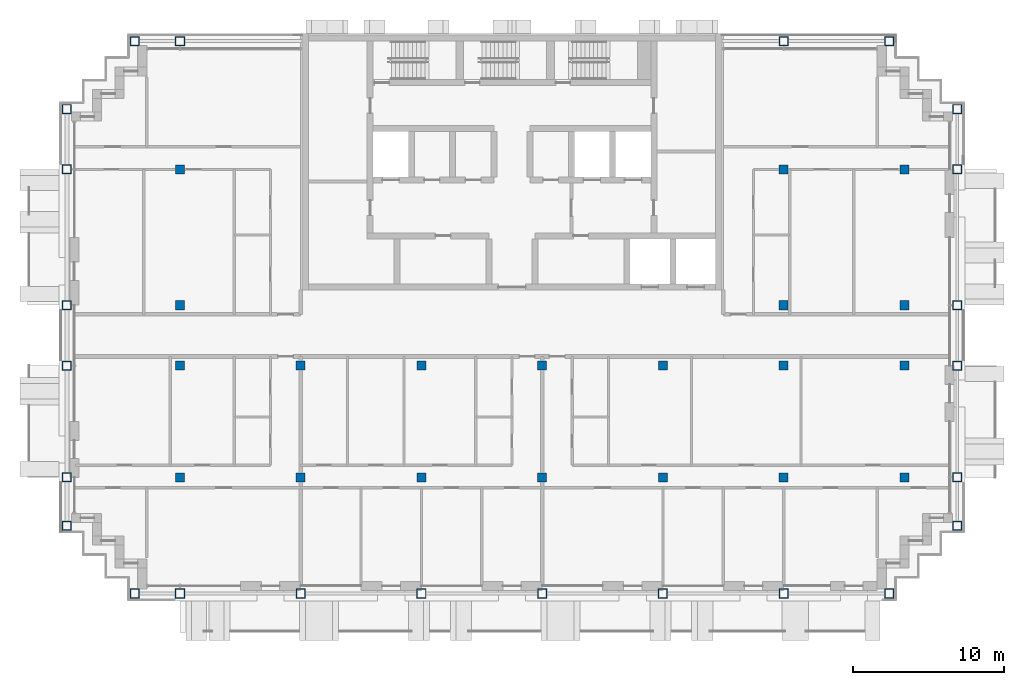
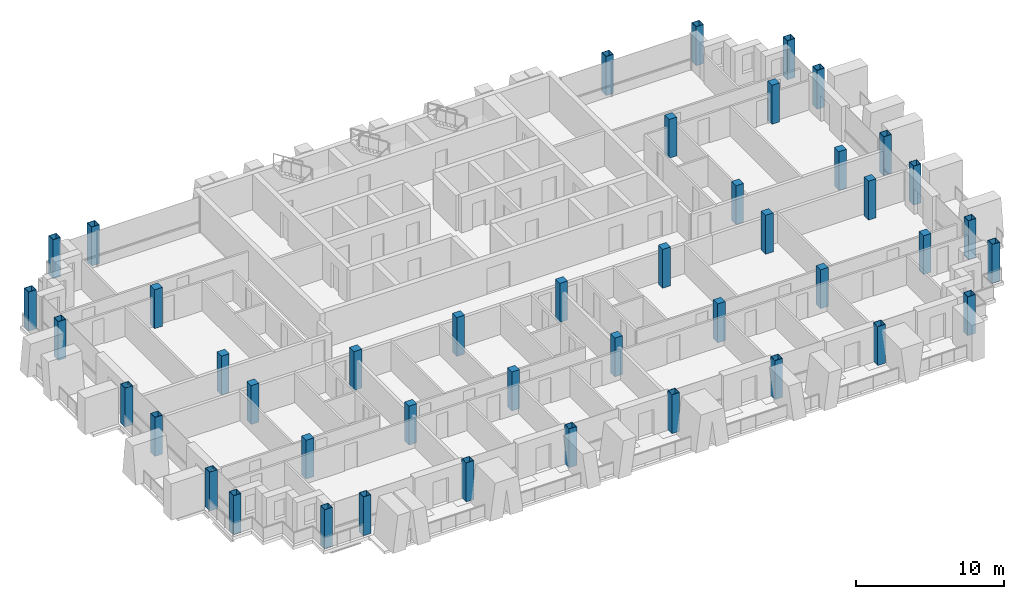
# One storey, part 1 of 15: 44 columns.
"""IFC4 building model written with IfcOpenShell, lengths in metres."""

from ifc_helpers import new_model, si_unit, direction, frame, origin, origin_2d, place, context, subcontext, project, spatial, rectangle, hollow_rectangle, extrude, material, material_profile, profile_set, type_object, element, save


model = new_model("IFC4")

# Units and contexts
model_context = context("Model", 3, precision=1e-05, world=origin(), true_north=direction((0.0, 1.0)))
body_context = subcontext(model_context, "Body", "Model", "MODEL_VIEW")
ifc_project = project(units=[si_unit("LENGTHUNIT", "METRE"), si_unit("AREAUNIT", "SQUARE_METRE"), si_unit("VOLUMEUNIT", "CUBIC_METRE"), si_unit("PLANEANGLEUNIT", "RADIAN"), si_unit("MASSUNIT", "GRAM", prefix="KILO")], contexts=[model_context])

# Site, building, storey
site_placement = place(None, origin())
site = spatial("IfcSite", under=ifc_project, at=site_placement, CompositionType="ELEMENT")
building_placement = place(site_placement, origin())
building = spatial("IfcBuilding", under=site, at=building_placement, Name="Vidyagriha Tower", CompositionType="ELEMENT")
storey_placement = place(building_placement, frame((0.0, 0.0, 233.199951171875)))
storey = spatial("IfcBuildingStorey", under=building, at=storey_placement, Name="L61", CompositionType="ELEMENT", Elevation=233.199951171875)

# Columns
ifc_material_1 = material(Name="Steel ASTM A572 Grade 50", Category="steel")
ifc_material_profile_1 = material_profile(ifc_material_1, hollow_rectangle(XDim=0.60009765625, YDim=0.60009765625, WallThickness=0.030029296875, at=origin_2d()), Name="BOX 600x600x30")
ifc_profile_set_1 = profile_set([ifc_material_profile_1], Name="Steel ASTM A572 Grade 50")
column_type_1 = type_object("IfcColumnType", Name="Exoskeleton column BOX 600x600x30", PredefinedType="COLUMN", material=ifc_profile_set_1)
for number, where, name in (
    (1, (-25.0, -17.10009765625, 0.0), "st-col-L61-B5-001"),
    (2, (-22.0, -17.10009765625, 0.0), "st-col-L61-B5-002"),
    (3, (-14.0, -17.10009765625, 0.0), "st-col-L61-B5-003"),
    (4, (-6.0, -17.10009765625, 0.0), "st-col-L61-B5-004"),
    (5, (2.0, -17.10009765625, 0.0), "st-col-L61-B5-005"),
    (6, (10.0, -17.10009765625, 0.0), "st-col-L61-B5-006"),
    (7, (18.0, -17.10009765625, 0.0), "st-col-L61-B5-007"),
    (8, (25.0, -17.10009765625, 0.0), "st-col-L61-B5-008"),
    (9, (-29.5, -12.60009765625, 0.0), "st-col-L61-B5-009"),
    (10, (29.5, -12.60009765625, 0.0), "st-col-L61-B5-010"),
    (11, (-29.5, -9.39990234375, 0.0), "st-col-L61-B5-011"),
    (12, (29.5, -9.39990234375, 0.0), "st-col-L61-B5-019"),
    (13, (-29.5, -2.0, 0.0), "st-col-L61-B5-020"),
    (14, (29.5, -2.0, 0.0), "st-col-L61-B5-028"),
    (15, (-29.5, 2.0, 0.0), "st-col-L61-B5-029"),
    (16, (29.5, 2.0, 0.0), "st-col-L61-B5-033"),
    (17, (-29.5, 11.0, 0.0), "st-col-L61-B5-034"),
    (18, (29.5, 11.0, 0.0), "st-col-L61-B5-038"),
    (19, (-29.5, 15.0, 0.0), "st-col-L61-B5-039"),
    (20, (29.5, 15.0, 0.0), "st-col-L61-B5-040"),
    (21, (-25.0, 19.5, 0.0), "st-col-L61-B5-041"),
    (22, (-22.0, 19.5, 0.0), "st-col-L61-B5-042"),
    (23, (18.0, 19.5, 0.0), "st-col-L61-B5-043"),
    (24, (25.0, 19.5, 0.0), "st-col-L61-B5-044"),
):
    element("IfcColumn", number, at=place(storey_placement, frame(where)), inside=storey, type_object=column_type_1, Name=name, PredefinedType="COLUMN", context=body_context, shape_type="SweptSolid", body=[
        extrude(hollow_rectangle(XDim=0.60009765625, YDim=0.60009765625, WallThickness=0.030029296875, at=origin_2d()), origin(), (0.0, 0.0, 1.0), 3.199951171875),
    ])
ifc_material_2 = material(Name="Concrete C60/75", Category="concrete")
ifc_material_profile_2 = material_profile(ifc_material_2, rectangle(XDim=0.60009765625, YDim=0.60009765625, at=origin_2d()), Name="RC 600x600")
ifc_profile_set_2 = profile_set([ifc_material_profile_2], Name="Concrete C60/75")
column_type_2 = type_object("IfcColumnType", Name="Frame column RC 600x600", PredefinedType="COLUMN", material=ifc_profile_set_2)
for number, where, name in (
    (25, (-22.0, -9.39990234375, 0.0), "st-col-L61-B5-012"),
    (26, (-14.0, -9.39990234375, 0.0), "st-col-L61-B5-013"),
    (27, (-6.0, -9.39990234375, 0.0), "st-col-L61-B5-014"),
    (28, (2.0, -9.39990234375, 0.0), "st-col-L61-B5-015"),
    (29, (10.0, -9.39990234375, 0.0), "st-col-L61-B5-016"),
    (30, (18.0, -9.39990234375, 0.0), "st-col-L61-B5-017"),
    (31, (26.0, -9.39990234375, 0.0), "st-col-L61-B5-018"),
    (32, (-22.0, -2.0, 0.0), "st-col-L61-B5-021"),
    (33, (-14.0, -2.0, 0.0), "st-col-L61-B5-022"),
    (34, (-6.0, -2.0, 0.0), "st-col-L61-B5-023"),
    (35, (2.0, -2.0, 0.0), "st-col-L61-B5-024"),
    (36, (10.0, -2.0, 0.0), "st-col-L61-B5-025"),
    (37, (18.0, -2.0, 0.0), "st-col-L61-B5-026"),
    (38, (26.0, -2.0, 0.0), "st-col-L61-B5-027"),
    (39, (-22.0, 2.0, 0.0), "st-col-L61-B5-030"),
    (40, (18.0, 2.0, 0.0), "st-col-L61-B5-031"),
    (41, (26.0, 2.0, 0.0), "st-col-L61-B5-032"),
    (42, (-22.0, 11.0, 0.0), "st-col-L61-B5-035"),
    (43, (18.0, 11.0, 0.0), "st-col-L61-B5-036"),
    (44, (26.0, 11.0, 0.0), "st-col-L61-B5-037"),
):
    element("IfcColumn", number, at=place(storey_placement, frame(where)), inside=storey, type_object=column_type_2, Name=name, PredefinedType="COLUMN", context=body_context, shape_type="SweptSolid", body=[
        extrude(rectangle(XDim=0.60009765625, YDim=0.60009765625, at=origin_2d()), origin(), (0.0, 0.0, 1.0), 3.199951171875),
    ])

save(model, "model.ifc")
